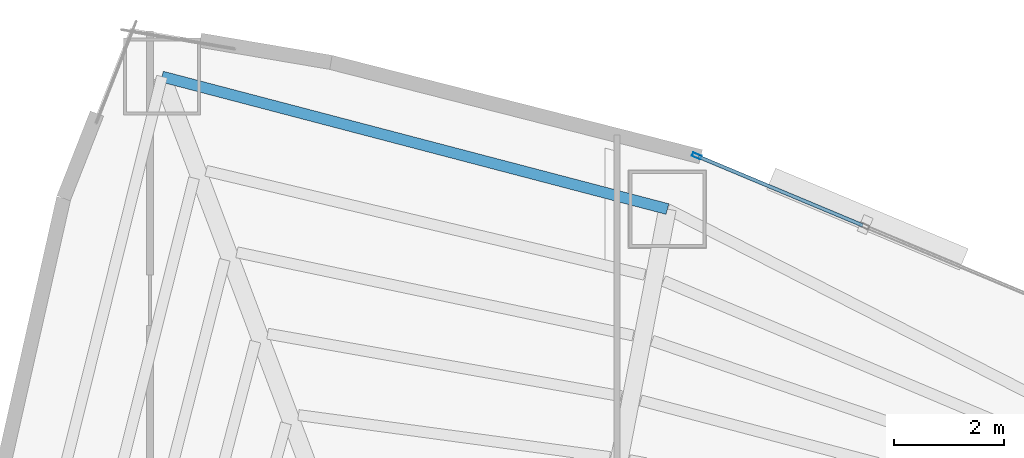
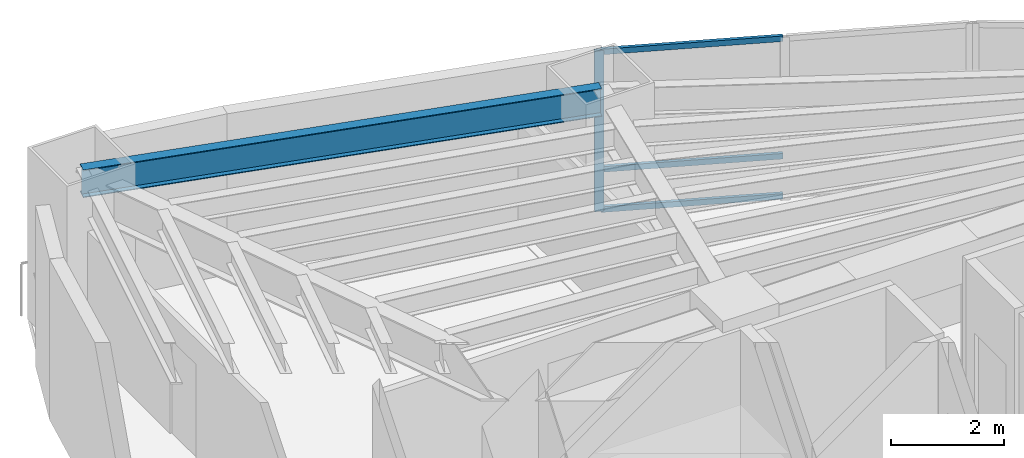
# One storey, part 9 of 17: 4 members, 1 beam, 1 element without a shape of its own.
"""IFC4 building model written with IfcOpenShell, lengths in metres."""

from ifc_helpers import new_model, si_unit, direction, frame, origin, origin_2d, place, context, subcontext, project, spatial, hollow_rectangle, i_section, extrude, material, layer, layer_set, material_profile, profile_set, type_object, element, aggregate, save


model = new_model("IFC4")

# Units and contexts
model_context = context("Model", 3, precision=1e-05, world=origin(), true_north=direction((0.0, 1.0)))
body_context = subcontext(model_context, "Body", "Model", "MODEL_VIEW")
ifc_project = project(units=[si_unit("LENGTHUNIT", "METRE"), si_unit("AREAUNIT", "SQUARE_METRE"), si_unit("VOLUMEUNIT", "CUBIC_METRE"), si_unit("PLANEANGLEUNIT", "RADIAN"), si_unit("MASSUNIT", "GRAM", prefix="KILO")], contexts=[model_context])

# Site, building, storey
site_placement = place(None, origin())
site = spatial("IfcSite", under=ifc_project, at=site_placement, CompositionType="ELEMENT")
building_placement = place(site_placement, origin())
building = spatial("IfcBuilding", under=site, at=building_placement, Name="Menara Vayukalpa", CompositionType="ELEMENT")
storey_placement = place(building_placement, frame((0.0, 0.0, 42.47998046875)))
storey = spatial("IfcBuildingStorey", under=building, at=storey_placement, Name="L09", CompositionType="ELEMENT", Elevation=42.47998046875)

# Beam
ifc_material_1 = material(Name="Steel S355", Category="steel")
ifc_material_profile_1 = material_profile(ifc_material_1, i_section(OverallWidth=0.199951171875, OverallDepth=0.60009765625, WebThickness=0.010986328125, FlangeThickness=0.01708984375, at=origin_2d()), Name="WF 600x200x11x17")
ifc_profile_set_1 = profile_set([ifc_material_profile_1], Name="Steel S355")
beam_type = type_object("IfcBeamType", Name="BM-SP1", PredefinedType="SPANDREL", material=ifc_profile_set_1)
beam_placement = place(storey_placement, frame((23.41943359375, 33.9228515625, 3.169921875), z_axis=(-0.967331024421, 0.253516644802, 0.0), x_axis=(-0.253516644802, -0.967331024421, 0.0)))
element("IfcBeam", 1, at=beam_placement, inside=storey, type_object=beam_type, Name="L09 Perimeter Spandrel Beam SP03", PredefinedType="SPANDREL", context=body_context, shape_type="SweptSolid", body=[
    extrude(i_section(OverallWidth=0.199951171875, OverallDepth=0.60009765625, WebThickness=0.010986328125, FlangeThickness=0.01708984375, at=origin_2d()), origin(), (0.0, 0.0, 1.0), 9.5126953125),
])

# Curtain wall, members
ifc_material_2 = material(Name="Anodised Terracotta Aluminium Alloy 6063-T6", Category="masonry")
ifc_layer = layer(ifc_material_2, 0.1650390625)
ifc_layer_set = layer_set([ifc_layer], Name="Anodised Terracotta Aluminium Alloy 6063-T6")
curtain_wall_type = type_object("IfcCurtainWallType", Name="CW-CW2", PredefinedType="USERDEFINED", material=ifc_layer_set)
curtain_wall_placement = place(storey_placement, origin())
curtain_wall = element("IfcCurtainWall", 2, at=curtain_wall_placement, inside=storey, type_object=curtain_wall_type, Name="L09 Low Rise Terracotta Ribbon Curtain Wall CW2 05", ObjectType="UNITISED", PredefinedType="USERDEFINED")
ifc_material_3 = material(Name="Anodised Terracotta Aluminium Alloy 6063-T6", Category="masonry")
ifc_material_profile_2 = material_profile(ifc_material_3, hollow_rectangle(XDim=0.070068359375, YDim=0.1650390625, WallThickness=0.00390625, at=origin_2d()), Name="ALU 70x165x4")
ifc_profile_set_2 = profile_set([ifc_material_profile_2], Name="Anodised Terracotta Aluminium Alloy 6063-T6")
member_type_1 = type_object("IfcMemberType", Name="CWM-CW2", PredefinedType="MULLION", material=ifc_profile_set_2)
member_1_placement = place(storey_placement, frame((23.950927734375, 34.889404296875, 0.0), z_axis=(0.0, 0.0, 1.0), x_axis=(-0.385895120445, -0.922542658101, 0.0)))
member_1 = element("IfcMember", 3, at=member_1_placement, type_object=member_type_1, Name="CW2 mullion 3", PredefinedType="MULLION", context=body_context, shape_type="SweptSolid", body=[
    extrude(hollow_rectangle(XDim=0.070068359375, YDim=0.1650390625, WallThickness=0.00390625, at=origin_2d()), origin(), (0.0, 0.0, 1.0), 3.469970703125),
])
ifc_material_4 = material(Name="Anodised Terracotta Aluminium Alloy 6063-T6", Category="masonry")
ifc_material_profile_3 = material_profile(ifc_material_4, hollow_rectangle(XDim=0.06494140625, YDim=0.1201171875, WallThickness=0.00341796875, at=origin_2d()), Name="ALU 65x120x3.5")
ifc_profile_set_3 = profile_set([ifc_material_profile_3], Name="Anodised Terracotta Aluminium Alloy 6063-T6")
member_type_2 = type_object("IfcMemberType", Name="CWT-CW2", PredefinedType="USERDEFINED", material=ifc_profile_set_3)
member_2_placement = place(storey_placement, frame((26.974609375, 33.624755859375, 0.032470703125), z_axis=(-0.922552588381, 0.385871379699, 0.0), x_axis=(-0.385871379699, -0.922552588381, 0.0)))
member_2 = element("IfcMember", 4, at=member_2_placement, type_object=member_type_2, Name="CW2 transom 2.1", ObjectType="TRANSOM", PredefinedType="USERDEFINED", context=body_context, shape_type="SweptSolid", body=[
    extrude(hollow_rectangle(XDim=0.06494140625, YDim=0.1201171875, WallThickness=0.00341796875, at=origin_2d()), origin(), (0.0, 0.0, 1.0), 3.24267578125),
])
member_3_placement = place(storey_placement, frame((26.974609375, 33.624755859375, 0.89990234375), z_axis=(-0.922552588381, 0.385871379699, 0.0), x_axis=(-0.385871379699, -0.922552588381, 0.0)))
member_3 = element("IfcMember", 5, at=member_3_placement, type_object=member_type_2, Name="CW2 transom 2.2", ObjectType="TRANSOM", PredefinedType="USERDEFINED", context=body_context, shape_type="SweptSolid", body=[
    extrude(hollow_rectangle(XDim=0.06494140625, YDim=0.1201171875, WallThickness=0.00341796875, at=origin_2d()), origin(), (0.0, 0.0, 1.0), 3.24267578125),
])
member_4_placement = place(storey_placement, frame((26.974609375, 33.624755859375, 3.4375), z_axis=(-0.922552588381, 0.385871379699, 0.0), x_axis=(-0.385871379699, -0.922552588381, 0.0)))
member_4 = element("IfcMember", 6, at=member_4_placement, type_object=member_type_2, Name="CW2 transom 2.3", ObjectType="TRANSOM", PredefinedType="USERDEFINED", context=body_context, shape_type="SweptSolid", body=[
    extrude(hollow_rectangle(XDim=0.06494140625, YDim=0.1201171875, WallThickness=0.00341796875, at=origin_2d()), origin(), (0.0, 0.0, 1.0), 3.24267578125),
])
aggregate(curtain_wall, [member_1, member_2, member_3, member_4])

save(model, "model.ifc")
